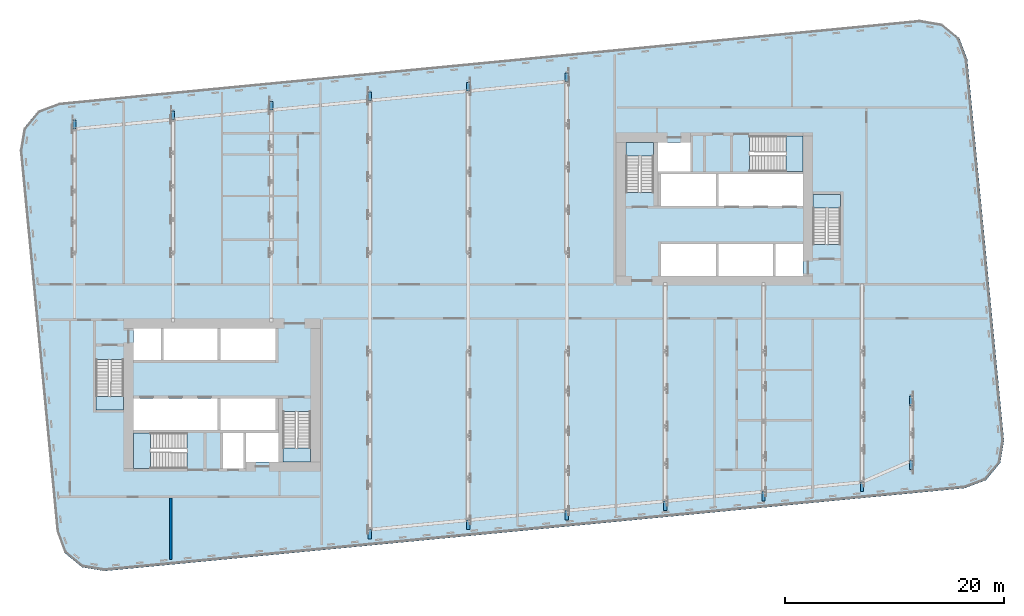
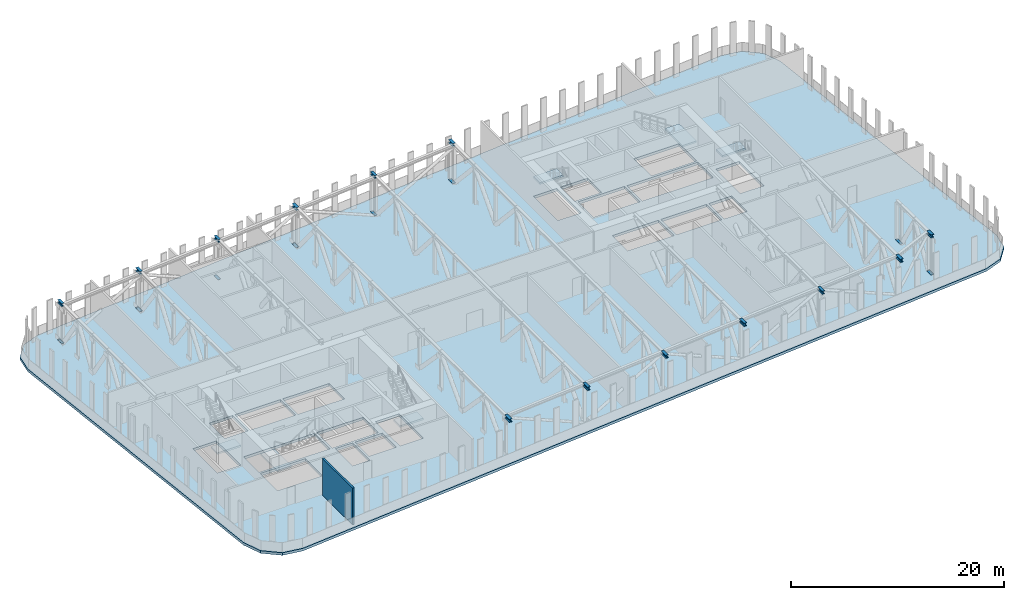
# One storey, part 7 of 22: 21 members, 7 slabs, 1 wall, 6 elements without a shape of their own.
"""IFC4 building model written with IfcOpenShell, lengths in metres."""

from ifc_helpers import new_model, si_unit, direction, frame, frame_2d, origin, origin_2d, place, context, subcontext, project, spatial, polyline, rectangle, i_section, outline, extrude, material, layer, layer_set, material_profile, profile_set, type_object, element, aggregate, save


model = new_model("IFC4")

# Units and contexts
model_context = context("Model", 3, precision=1e-05, world=origin(), true_north=direction((0.0, 1.0)))
body_context = subcontext(model_context, "Body", "Model", "MODEL_VIEW")
ifc_project = project(units=[si_unit("LENGTHUNIT", "METRE"), si_unit("AREAUNIT", "SQUARE_METRE"), si_unit("VOLUMEUNIT", "CUBIC_METRE"), si_unit("PLANEANGLEUNIT", "RADIAN"), si_unit("MASSUNIT", "GRAM", prefix="KILO")], contexts=[model_context])

# Site, building, storey
site_placement = place(None, origin())
site = spatial("IfcSite", under=ifc_project, at=site_placement, CompositionType="ELEMENT")
building_placement = place(site_placement, origin())
building = spatial("IfcBuilding", under=site, at=building_placement, Name="Kajstack Hotel Tower", CompositionType="ELEMENT")
storey_placement = place(building_placement, frame((0.0, 0.0, 150.39990234375)))
storey = spatial("IfcBuildingStorey", under=building, at=storey_placement, Name="L35", CompositionType="ELEMENT", Elevation=150.39990234375)

# Members
ifc_material_1 = material(Name="Steel S355J2", Category="steel")
ifc_material_profile_1 = material_profile(ifc_material_1, i_section(OverallWidth=0.300048828125, OverallDepth=0.2900390625, WebThickness=0.008544921875, FlangeThickness=0.013916015625, FilletRadius=0.027099609375, at=origin_2d()), Name="HEA 300")
ifc_profile_set_1 = profile_set([ifc_material_profile_1], Name="Steel S355J2")
member_type_1 = type_object("IfcMemberType", Name="Belt truss bottom chord BC3 HEA 300", PredefinedType="CHORD", material=ifc_profile_set_1)
for number, where, z_axis, x_axis, name in (
    (1, (-36.0, 15.822998046875, -0.14501953125), (0.0, 1.0, 0.0), (-1.0, 0.0, 0.0), "S-belt-truss-L35--36p0-1-bc12"),
    (2, (-27.0, 16.689697265625, -0.14501953125), (0.0, 1.0, 0.0), (-1.0, 0.0, 0.0), "S-outrigger-truss-L35--27p0-1-bc12"),
):
    element("IfcMember", number, at=place(storey_placement, frame(where, z_axis=z_axis, x_axis=x_axis)), inside=storey, type_object=member_type_1, Name=name, PredefinedType="CHORD", context=body_context, shape_type="SweptSolid", body=[
        extrude(i_section(OverallWidth=0.300048828125, OverallDepth=0.2900390625, WebThickness=0.008544921875, FlangeThickness=0.013916015625, FilletRadius=0.027099609375, at=origin_2d()), origin(), (0.0, 0.0, 1.0), 0.800048828125),
    ])
member_1_placement = place(storey_placement, frame((-18.0, 17.556396484375, -0.14501953125), z_axis=(0.0, 1.0, 0.0), x_axis=(-1.0, 0.0, 0.0)))
element("IfcMember", 3, at=member_1_placement, inside=storey, type_object=member_type_1, Name="S-outrigger-truss-L35--18p0-1-bc12", PredefinedType="CHORD", context=body_context, shape_type="SweptSolid", body=[
    extrude(i_section(OverallWidth=0.300048828125, OverallDepth=0.2900390625, WebThickness=0.008544921875, FlangeThickness=0.013916015625, FilletRadius=0.027099609375, at=origin_2d()), origin(), (0.0, 0.0, 1.0), 0.7998046875),
])
for number, where, z_axis, x_axis, name in (
    (4, (-9.0, 18.4228515625, -0.14501953125), (0.0, 1.0, 0.0), (-1.0, 0.0, 0.0), "S-belt-truss-L35--9p0-1-bc21"),
    (5, (0.0, 19.28955078125, -0.14501953125), (0.0, 1.0, 0.0), (-1.0, 0.0, 0.0), "S-belt-truss-L35-+0p0-1-bc21"),
    (6, (9.0, 20.156005859375, -0.14501953125), (0.0, 1.0, 0.0), (-1.0, 0.0, 0.0), "S-belt-truss-L35-+9p0-1-bc21"),
):
    element("IfcMember", number, at=place(storey_placement, frame(where, z_axis=z_axis, x_axis=x_axis)), inside=storey, type_object=member_type_1, Name=name, PredefinedType="CHORD", context=body_context, shape_type="SweptSolid", body=[
        extrude(i_section(OverallWidth=0.300048828125, OverallDepth=0.2900390625, WebThickness=0.008544921875, FlangeThickness=0.013916015625, FilletRadius=0.027099609375, at=origin_2d()), origin(), (0.0, 0.0, 1.0), 0.800048828125),
    ])
member_2_placement = place(storey_placement, frame((40.5, -15.302490234375, -0.14501953125), z_axis=(0.0, 1.0, 0.0), x_axis=(-1.0, 0.0, 0.0)))
element("IfcMember", 7, at=member_2_placement, inside=storey, type_object=member_type_1, Name="S-belt-truss-L35-+40p5-1-bc5", PredefinedType="CHORD", context=body_context, shape_type="SweptSolid", body=[
    extrude(i_section(OverallWidth=0.300048828125, OverallDepth=0.2900390625, WebThickness=0.008544921875, FlangeThickness=0.013916015625, FilletRadius=0.027099609375, at=origin_2d()), origin(), (0.0, 0.0, 1.0), 0.7998046875),
])
member_3_placement = place(storey_placement, frame((40.5, -9.501220703125, -0.14501953125), z_axis=(0.0, 1.0, 0.0), x_axis=(-1.0, 0.0, 0.0)))
element("IfcMember", 8, at=member_3_placement, inside=storey, type_object=member_type_1, Name="S-belt-truss-L35-+40p5-1-bc8", PredefinedType="CHORD", context=body_context, shape_type="SweptSolid", body=[
    extrude(i_section(OverallWidth=0.300048828125, OverallDepth=0.2900390625, WebThickness=0.008544921875, FlangeThickness=0.013916015625, FilletRadius=0.027099609375, at=origin_2d()), origin(), (0.0, 0.0, 1.0), 0.90673828125),
])
ifc_material_profile_2 = material_profile(ifc_material_1, i_section(OverallWidth=0.300048828125, OverallDepth=0.360107421875, WebThickness=0.012451171875, FlangeThickness=0.0224609375, FilletRadius=0.027099609375, at=origin_2d()), Name="HEB 360")
ifc_profile_set_2 = profile_set([ifc_material_profile_2], Name="Steel S355J2")
member_type_2 = type_object("IfcMemberType", Name="Belt truss top chord TC3 HEB 360", PredefinedType="CHORD", material=ifc_profile_set_2)
for number, where, z_axis, x_axis, name in (
    (9, (-36.0, 15.822998046875, 4.420166015625), (0.0, 1.0, 0.0), (-1.0, 0.0, 0.0), "S-belt-truss-L35--36p0-1-tc6"),
    (10, (-27.0, 16.689697265625, 4.420166015625), (0.0, 1.0, 0.0), (-1.0, 0.0, 0.0), "S-outrigger-truss-L35--27p0-1-tc6"),
):
    element("IfcMember", number, at=place(storey_placement, frame(where, z_axis=z_axis, x_axis=x_axis)), inside=storey, type_object=member_type_2, Name=name, PredefinedType="CHORD", context=body_context, shape_type="SweptSolid", body=[
        extrude(i_section(OverallWidth=0.300048828125, OverallDepth=0.360107421875, WebThickness=0.012451171875, FlangeThickness=0.0224609375, FilletRadius=0.027099609375, at=origin_2d()), origin(), (0.0, 0.0, 1.0), 0.800048828125),
    ])
member_4_placement = place(storey_placement, frame((-18.0, 17.556396484375, 4.420166015625), z_axis=(0.0, 1.0, 0.0), x_axis=(-1.0, 0.0, 0.0)))
element("IfcMember", 11, at=member_4_placement, inside=storey, type_object=member_type_2, Name="S-outrigger-truss-L35--18p0-1-tc6", PredefinedType="CHORD", context=body_context, shape_type="SweptSolid", body=[
    extrude(i_section(OverallWidth=0.300048828125, OverallDepth=0.360107421875, WebThickness=0.012451171875, FlangeThickness=0.0224609375, FilletRadius=0.027099609375, at=origin_2d()), origin(), (0.0, 0.0, 1.0), 0.7998046875),
])
member_5_placement = place(storey_placement, frame((-9.0, -21.667236328125, 4.420166015625), z_axis=(0.0, 1.0, 0.0), x_axis=(-1.0, 0.0, 0.0)))
element("IfcMember", 12, at=member_5_placement, inside=storey, type_object=member_type_2, Name="S-belt-truss-L35--9p0-1-tc1", PredefinedType="CHORD", context=body_context, shape_type="SweptSolid", body=[
    extrude(i_section(OverallWidth=0.300048828125, OverallDepth=0.360107421875, WebThickness=0.012451171875, FlangeThickness=0.0224609375, FilletRadius=0.027099609375, at=origin_2d()), origin(), (0.0, 0.0, 1.0), 0.8681640625),
])
member_6_placement = place(storey_placement, frame((-9.0, 18.4228515625, 4.420166015625), z_axis=(0.0, 1.0, 0.0), x_axis=(-1.0, 0.0, 0.0)))
element("IfcMember", 13, at=member_6_placement, inside=storey, type_object=member_type_2, Name="S-belt-truss-L35--9p0-1-tc11", PredefinedType="CHORD", context=body_context, shape_type="SweptSolid", body=[
    extrude(i_section(OverallWidth=0.300048828125, OverallDepth=0.360107421875, WebThickness=0.012451171875, FlangeThickness=0.0224609375, FilletRadius=0.027099609375, at=origin_2d()), origin(), (0.0, 0.0, 1.0), 0.800048828125),
])
member_7_placement = place(storey_placement, frame((0.0, -20.800537109375, 4.420166015625), z_axis=(0.0, 1.0, 0.0), x_axis=(-1.0, 0.0, 0.0)))
element("IfcMember", 14, at=member_7_placement, inside=storey, type_object=member_type_2, Name="S-belt-truss-L35-+0p0-1-tc1", PredefinedType="CHORD", context=body_context, shape_type="SweptSolid", body=[
    extrude(i_section(OverallWidth=0.300048828125, OverallDepth=0.360107421875, WebThickness=0.012451171875, FlangeThickness=0.0224609375, FilletRadius=0.027099609375, at=origin_2d()), origin(), (0.0, 0.0, 1.0), 0.867919921875),
])
member_8_placement = place(storey_placement, frame((0.0, 19.28955078125, 4.420166015625), z_axis=(0.0, 1.0, 0.0), x_axis=(-1.0, 0.0, 0.0)))
element("IfcMember", 15, at=member_8_placement, inside=storey, type_object=member_type_2, Name="S-belt-truss-L35-+0p0-1-tc11", PredefinedType="CHORD", context=body_context, shape_type="SweptSolid", body=[
    extrude(i_section(OverallWidth=0.300048828125, OverallDepth=0.360107421875, WebThickness=0.012451171875, FlangeThickness=0.0224609375, FilletRadius=0.027099609375, at=origin_2d()), origin(), (0.0, 0.0, 1.0), 0.800048828125),
])
member_9_placement = place(storey_placement, frame((9.0, -19.93408203125, 4.420166015625), z_axis=(0.0, 1.0, 0.0), x_axis=(-1.0, 0.0, 0.0)))
element("IfcMember", 16, at=member_9_placement, inside=storey, type_object=member_type_2, Name="S-belt-truss-L35-+9p0-1-tc1", PredefinedType="CHORD", context=body_context, shape_type="SweptSolid", body=[
    extrude(i_section(OverallWidth=0.300048828125, OverallDepth=0.360107421875, WebThickness=0.012451171875, FlangeThickness=0.0224609375, FilletRadius=0.027099609375, at=origin_2d()), origin(), (0.0, 0.0, 1.0), 0.8681640625),
])
member_10_placement = place(storey_placement, frame((9.0, 20.156005859375, 4.420166015625), z_axis=(0.0, 1.0, 0.0), x_axis=(-1.0, 0.0, 0.0)))
element("IfcMember", 17, at=member_10_placement, inside=storey, type_object=member_type_2, Name="S-belt-truss-L35-+9p0-1-tc11", PredefinedType="CHORD", context=body_context, shape_type="SweptSolid", body=[
    extrude(i_section(OverallWidth=0.300048828125, OverallDepth=0.360107421875, WebThickness=0.012451171875, FlangeThickness=0.0224609375, FilletRadius=0.027099609375, at=origin_2d()), origin(), (0.0, 0.0, 1.0), 0.800048828125),
])
member_11_placement = place(storey_placement, frame((18.0, -19.0673828125, 4.420166015625), z_axis=(0.0, 1.0, 0.0), x_axis=(-1.0, 0.0, 0.0)))
element("IfcMember", 18, at=member_11_placement, inside=storey, type_object=member_type_2, Name="S-outrigger-truss-L35-+18p0-1-tc1", PredefinedType="CHORD", context=body_context, shape_type="SweptSolid", body=[
    extrude(i_section(OverallWidth=0.300048828125, OverallDepth=0.360107421875, WebThickness=0.012451171875, FlangeThickness=0.0224609375, FilletRadius=0.027099609375, at=origin_2d()), origin(), (0.0, 0.0, 1.0), 0.8681640625),
])
member_12_placement = place(storey_placement, frame((27.0, -18.20068359375, 4.420166015625), z_axis=(0.0, 1.0, 0.0), x_axis=(-1.0, 0.0, 0.0)))
element("IfcMember", 19, at=member_12_placement, inside=storey, type_object=member_type_2, Name="S-outrigger-truss-L35-+27p0-1-tc1", PredefinedType="CHORD", context=body_context, shape_type="SweptSolid", body=[
    extrude(i_section(OverallWidth=0.300048828125, OverallDepth=0.360107421875, WebThickness=0.012451171875, FlangeThickness=0.0224609375, FilletRadius=0.027099609375, at=origin_2d()), origin(), (0.0, 0.0, 1.0), 0.867919921875),
])
member_13_placement = place(storey_placement, frame((36.0, -17.334228515625, 4.420166015625), z_axis=(0.0, 1.0, 0.0), x_axis=(-1.0, 0.0, 0.0)))
element("IfcMember", 20, at=member_13_placement, inside=storey, type_object=member_type_2, Name="S-belt-truss-L35-+36p0-1-tc1", PredefinedType="CHORD", context=body_context, shape_type="SweptSolid", body=[
    extrude(i_section(OverallWidth=0.300048828125, OverallDepth=0.360107421875, WebThickness=0.012451171875, FlangeThickness=0.0224609375, FilletRadius=0.027099609375, at=origin_2d()), origin(), (0.0, 0.0, 1.0), 0.8681640625),
])
member_14_placement = place(storey_placement, frame((40.5, -15.302490234375, 4.420166015625), z_axis=(0.0, 1.0, 0.0), x_axis=(-1.0, 0.0, 0.0)))
element("IfcMember", 21, at=member_14_placement, inside=storey, type_object=member_type_2, Name="S-belt-truss-L35-+40p5-1-tc1", PredefinedType="CHORD", context=body_context, shape_type="SweptSolid", body=[
    extrude(i_section(OverallWidth=0.300048828125, OverallDepth=0.360107421875, WebThickness=0.012451171875, FlangeThickness=0.0224609375, FilletRadius=0.027099609375, at=origin_2d()), origin(), (0.0, 0.0, 1.0), 0.7998046875),
])

# Slab
ifc_material_2 = material(Name="Concrete C50/60", Category="concrete")
ifc_layer_1 = layer(ifc_material_2, 0.300048828125)
ifc_layer_set_1 = layer_set([ifc_layer_1], Name="RC slab 300 C50/60 band")
slab_type_1 = type_object("IfcSlabType", Name="RC slab 300 C50/60 band", PredefinedType="FLOOR", material=ifc_layer_set_1)
slab_1_placement = place(storey_placement, frame((0.0, 0.0, -0.2998046875)))
element("IfcSlab", 22, at=slab_1_placement, inside=storey, type_object=slab_type_1, Name="S-slab-L35", PredefinedType="FLOOR", context=body_context, shape_type="SweptSolid", body=[
    extrude(outline(polyline([(-40.97705078125, 13.85009765625), (-37.622314453125, -20.98876953125), (-36.897216796875, -22.92822265625), (-35.299560546875, -24.2451171875), (-33.257568359375, -24.5869140625), (45.37890625, -17.01513671875), (47.318359375, -16.2900390625), (48.63525390625, -14.6923828125), (48.97705078125, -12.650146484375), (45.622314453125, 22.188720703125), (44.897216796875, 24.128173828125), (43.299560546875, 25.4453125), (41.257568359375, 25.786865234375), (-37.37890625, 18.215087890625), (-39.318359375, 17.489990234375), (-40.63525390625, 15.892333984375), (-40.97705078125, 13.85009765625)]), holes=[polyline([(-30.60009765625, -11.699951171875), (-30.60009765625, -8.800048828125), (-22.89990234375, -8.800048828125), (-22.89990234375, -11.699951171875), (-30.60009765625, -11.699951171875)]), polyline([(-22.64990234375, -11.699951171875), (-22.64990234375, -8.800048828125), (-17.60009765625, -8.800048828125), (-17.60009765625, -11.699951171875), (-22.64990234375, -11.699951171875)]), polyline([(-27.85009765625, -5.300048828125), (-27.85009765625, -2.39990234375), (-22.89990234375, -2.39990234375), (-22.89990234375, -5.300048828125), (-27.85009765625, -5.300048828125)]), polyline([(-22.64990234375, -5.300048828125), (-22.64990234375, -2.39990234375), (-17.60009765625, -2.39990234375), (-17.60009765625, -5.300048828125), (-22.64990234375, -5.300048828125)]), polyline([(-20.300048828125, -14.60009765625), (-17.35009765625, -14.60009765625), (-17.35009765625, -11.949951171875), (-20.300048828125, -11.949951171875), (-20.300048828125, -14.60009765625)]), polyline([(-30.60009765625, -5.300048828125), (-28.10009765625, -5.300048828125), (-28.10009765625, -2.39990234375), (-30.60009765625, -2.39990234375), (-30.60009765625, -5.300048828125)]), polyline([(22.89990234375, 8.800048828125), (22.89990234375, 11.699951171875), (30.60009765625, 11.699951171875), (30.60009765625, 8.800048828125), (22.89990234375, 8.800048828125)]), polyline([(17.60009765625, 8.800048828125), (17.60009765625, 11.699951171875), (22.64990234375, 11.699951171875), (22.64990234375, 8.800048828125), (17.60009765625, 8.800048828125)]), polyline([(22.89990234375, 2.39990234375), (22.89990234375, 5.300048828125), (27.85009765625, 5.300048828125), (27.85009765625, 2.39990234375), (22.89990234375, 2.39990234375)]), polyline([(17.60009765625, 2.39990234375), (17.60009765625, 5.300048828125), (22.64990234375, 5.300048828125), (22.64990234375, 2.39990234375), (17.60009765625, 2.39990234375)]), polyline([(20.300048828125, 14.60009765625), (17.35009765625, 14.60009765625), (17.35009765625, 11.949951171875), (20.300048828125, 11.949951171875), (20.300048828125, 14.60009765625)]), polyline([(30.60009765625, 5.300048828125), (28.10009765625, 5.300048828125), (28.10009765625, 2.39990234375), (30.60009765625, 2.39990234375), (30.60009765625, 5.300048828125)]), polyline([(-34.050048828125, -9.85009765625), (-31.5, -9.85009765625), (-31.5, -5.25), (-34.050048828125, -5.25), (-34.050048828125, -9.85009765625)]), polyline([(-16.949951171875, -14.60009765625), (-14.39990234375, -14.60009765625), (-14.39990234375, -10.0), (-16.949951171875, -10.0), (-16.949951171875, -14.60009765625)]), polyline([(-30.60009765625, -15.199951171875), (-25.699951171875, -15.199951171875), (-25.699951171875, -11.949951171875), (-30.60009765625, -11.949951171875), (-30.60009765625, -15.199951171875)]), polyline([(34.050048828125, 9.85009765625), (31.5, 9.85009765625), (31.5, 5.25), (34.050048828125, 5.25), (34.050048828125, 9.85009765625)]), polyline([(16.949951171875, 14.60009765625), (14.39990234375, 14.60009765625), (14.39990234375, 10.0), (16.949951171875, 10.0), (16.949951171875, 14.60009765625)]), polyline([(30.60009765625, 15.199951171875), (25.699951171875, 15.199951171875), (25.699951171875, 11.949951171875), (30.60009765625, 11.949951171875), (30.60009765625, 15.199951171875)]), polyline([(-22.425048828125, -15.199951171875), (-22.425048828125, -11.949951171875), (-20.550048828125, -11.949951171875), (-20.550048828125, -15.199951171875), (-22.425048828125, -15.199951171875)])]), origin(), (0.0, 0.0, 1.0), 0.2998046875),
])

# Stair, slab
ifc_material_3 = material(Name="Concrete C40/50", Category="concrete")
stair_type_1 = type_object("IfcStairType", Name="Exit stair 1200", PredefinedType="HALF_TURN_STAIR", material=ifc_material_3)
stair_1_placement = place(storey_placement, origin())
stair_1 = element("IfcStair", 23, at=stair_1_placement, inside=storey, type_object=stair_type_1, Name="L35 stair W1", PredefinedType="HALF_TURN_STAIR")
ifc_layer_2 = layer(ifc_material_3, 0.199951171875)
ifc_layer_set_2 = layer_set([ifc_layer_2], Name="Stair landing 200")
slab_type_2 = type_object("IfcSlabType", Name="Stair landing 200", PredefinedType="LANDING", material=ifc_layer_set_2)
slab_2_placement = place(storey_placement, frame((0.0, 0.0, 2.10009765625)))
slab_2 = element("IfcSlab", 24, at=slab_2_placement, type_object=slab_type_2, Name="W1 landing 1", PredefinedType="LANDING", context=body_context, shape_type="SweptSolid", body=[
    extrude(outline(polyline([(-34.050048828125, -8.610107421875), (-34.050048828125, -9.85009765625), (-31.5, -9.85009765625), (-31.5, -8.610107421875), (-34.050048828125, -8.610107421875)])), origin(), (0.0, 0.0, 1.0), 0.199951171875),
])
aggregate(stair_1, [slab_2])

stair_2_placement = place(storey_placement, origin())
stair_2 = element("IfcStair", 25, at=stair_2_placement, inside=storey, type_object=stair_type_1, Name="L35 stair W2", PredefinedType="HALF_TURN_STAIR")
slab_3_placement = place(storey_placement, frame((0.0, 0.0, 2.10009765625)))
slab_3 = element("IfcSlab", 26, at=slab_3_placement, type_object=slab_type_2, Name="W2 landing 1", PredefinedType="LANDING", context=body_context, shape_type="SweptSolid", body=[
    extrude(outline(polyline([(-16.949951171875, -13.360107421875), (-16.949951171875, -14.60009765625), (-14.39990234375, -14.60009765625), (-14.39990234375, -13.360107421875), (-16.949951171875, -13.360107421875)])), origin(), (0.0, 0.0, 1.0), 0.199951171875),
])
aggregate(stair_2, [slab_3])

stair_type_2 = type_object("IfcStairType", Name="Exit stair 1500", PredefinedType="HALF_TURN_STAIR", material=ifc_material_3)
stair_3_placement = place(storey_placement, origin())
stair_3 = element("IfcStair", 27, at=stair_3_placement, inside=storey, type_object=stair_type_2, Name="L35 stair W3", PredefinedType="HALF_TURN_STAIR")
slab_4_placement = place(storey_placement, frame((0.0, 0.0, 2.10009765625)))
slab_4 = element("IfcSlab", 28, at=slab_4_placement, type_object=slab_type_2, Name="W3 landing 1", PredefinedType="LANDING", context=body_context, shape_type="SweptSolid", body=[
    extrude(outline(polyline([(-29.06005859375, -11.949951171875), (-30.60009765625, -11.949951171875), (-30.60009765625, -15.199951171875), (-29.06005859375, -15.199951171875), (-29.06005859375, -11.949951171875)])), origin(), (0.0, 0.0, 1.0), 0.199951171875),
])
aggregate(stair_3, [slab_4])

stair_4_placement = place(storey_placement, origin())
stair_4 = element("IfcStair", 29, at=stair_4_placement, inside=storey, type_object=stair_type_1, Name="L35 stair E1", PredefinedType="HALF_TURN_STAIR")
slab_5_placement = place(storey_placement, frame((0.0, 0.0, 2.10009765625)))
slab_5 = element("IfcSlab", 30, at=slab_5_placement, type_object=slab_type_2, Name="E1 landing 1", PredefinedType="LANDING", context=body_context, shape_type="SweptSolid", body=[
    extrude(outline(polyline([(34.050048828125, 8.610107421875), (34.050048828125, 9.85009765625), (31.5, 9.85009765625), (31.5, 8.610107421875), (34.050048828125, 8.610107421875)])), origin(), (0.0, 0.0, 1.0), 0.199951171875),
])
aggregate(stair_4, [slab_5])

stair_5_placement = place(storey_placement, origin())
stair_5 = element("IfcStair", 31, at=stair_5_placement, inside=storey, type_object=stair_type_1, Name="L35 stair E2", PredefinedType="HALF_TURN_STAIR")
slab_6_placement = place(storey_placement, frame((0.0, 0.0, 2.10009765625)))
slab_6 = element("IfcSlab", 32, at=slab_6_placement, type_object=slab_type_2, Name="E2 landing 1", PredefinedType="LANDING", context=body_context, shape_type="SweptSolid", body=[
    extrude(outline(polyline([(16.949951171875, 13.360107421875), (16.949951171875, 14.60009765625), (14.39990234375, 14.60009765625), (14.39990234375, 13.360107421875), (16.949951171875, 13.360107421875)])), origin(), (0.0, 0.0, 1.0), 0.199951171875),
])
aggregate(stair_5, [slab_6])

stair_6_placement = place(storey_placement, origin())
stair_6 = element("IfcStair", 33, at=stair_6_placement, inside=storey, type_object=stair_type_2, Name="L35 stair E3", PredefinedType="HALF_TURN_STAIR")
slab_7_placement = place(storey_placement, frame((0.0, 0.0, 2.10009765625)))
slab_7 = element("IfcSlab", 34, at=slab_7_placement, type_object=slab_type_2, Name="E3 landing 1", PredefinedType="LANDING", context=body_context, shape_type="SweptSolid", body=[
    extrude(outline(polyline([(29.06005859375, 11.949951171875), (30.60009765625, 11.949951171875), (30.60009765625, 15.199951171875), (29.06005859375, 15.199951171875), (29.06005859375, 11.949951171875)])), origin(), (0.0, 0.0, 1.0), 0.199951171875),
])
aggregate(stair_6, [slab_7])

# Wall
ifc_material_4 = material(Name="Gypsum board on steel studs, mineral wool", Category="steel")
ifc_layer_3 = layer(ifc_material_4, 0.199951171875)
ifc_layer_set_3 = layer_set([ifc_layer_3], Name="Service partition 200")
wall_type = type_object("IfcWallType", Name="Service partition 200", PredefinedType="PARTITIONING", material=ifc_layer_set_3)
wall_placement = place(storey_placement, frame((-27.199951171875, -23.552490234375, 0.0), z_axis=(0.0, 0.0, 1.0), x_axis=(0.0, 1.0, 0.0)))
element("IfcWall", 35, at=wall_placement, inside=storey, type_object=wall_type, Name="Partition W SLP0", PredefinedType="PARTITIONING", context=body_context, shape_type="SweptSolid", body=[
    extrude(rectangle(XDim=5.652587890625, YDim=0.199951171875, at=frame_2d((2.826171875, 0.0))), origin(), (0.0, 0.0, 1.0), 4.2001953125),
])

save(model, "model.ifc")
